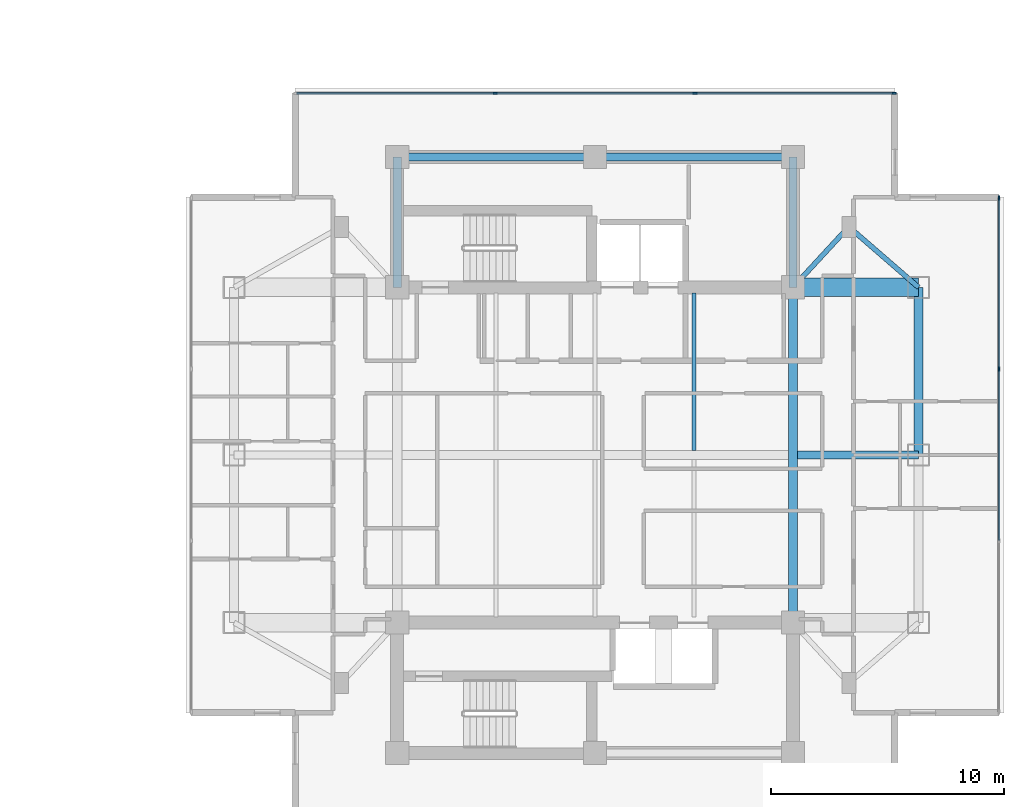
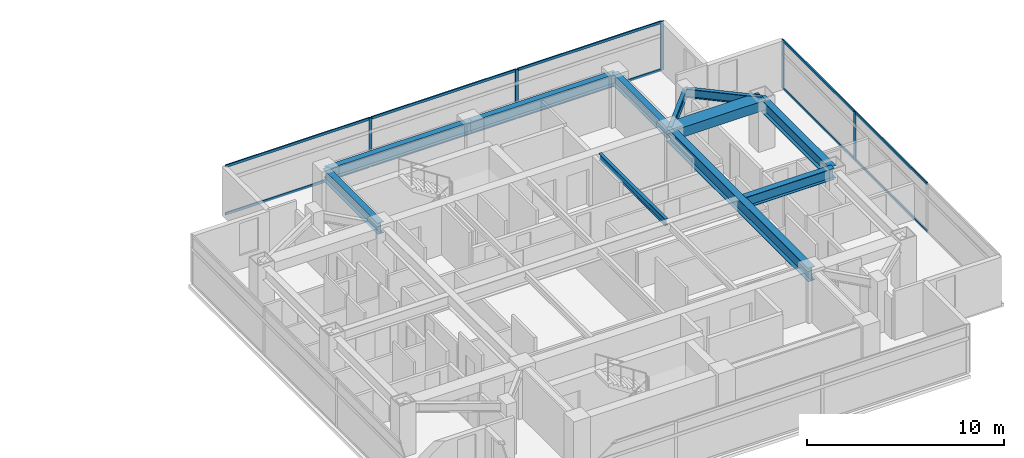
# One storey, part 10 of 24: 15 members, 11 beams, 2 elements without a shape of their own.
"""IFC4 building model written with IfcOpenShell, lengths in metres."""

from ifc_helpers import new_model, si_unit, direction, frame, origin, origin_2d, place, context, subcontext, project, spatial, rectangle, i_section, extrude, material, material_profile, profile_set, type_object, element, aggregate, save


model = new_model("IFC4")

# Units and contexts
model_context = context("Model", 3, precision=1e-05, world=origin(), true_north=direction((0.0, 1.0)))
body_context = subcontext(model_context, "Body", "Model", "MODEL_VIEW")
ifc_project = project(units=[si_unit("LENGTHUNIT", "METRE"), si_unit("AREAUNIT", "SQUARE_METRE"), si_unit("VOLUMEUNIT", "CUBIC_METRE"), si_unit("PLANEANGLEUNIT", "RADIAN"), si_unit("MASSUNIT", "GRAM", prefix="KILO")], contexts=[model_context])

# Site, building, storey
site_placement = place(None, origin())
site = spatial("IfcSite", under=ifc_project, at=site_placement, CompositionType="ELEMENT")
building_placement = place(site_placement, origin())
building = spatial("IfcBuilding", under=site, at=building_placement, Name="Mirazonda Arch Towers", CompositionType="ELEMENT")
storey_placement = place(building_placement, frame((0.0, 0.0, 164.14990234375)))
storey = spatial("IfcBuildingStorey", under=building, at=storey_placement, Name="L46", CompositionType="ELEMENT", Elevation=164.14990234375)

# Beams
ifc_material_1 = material(Name="Steel ASTM A992 Grade 50", Category="steel")
ifc_material_profile_1 = material_profile(ifc_material_1, i_section(OverallWidth=0.381103515625, OverallDepth=0.77294921875, WebThickness=0.0166015625, FlangeThickness=0.027099609375, at=origin_2d()), Name="W30X173")
ifc_profile_set_1 = profile_set([ifc_material_profile_1], Name="Steel ASTM A992 Grade 50")
beam_type_1 = type_object("IfcBeamType", Name="BM-EXT-W30X173", PredefinedType="USERDEFINED", material=ifc_profile_set_1)
beam_1_placement = place(storey_placement, frame((90.39990234375, 28.0, 2.66357421875), z_axis=(0.0, 1.0, 0.0), x_axis=(-1.0, 0.0, 0.0)))
element("IfcBeam", 1, at=beam_1_placement, inside=storey, type_object=beam_type_1, Name="L46 Floor Beam BM-T2-L46-NS-E-28", ObjectType="GIRDER", PredefinedType="USERDEFINED", context=body_context, shape_type="SweptSolid", body=[
    extrude(i_section(OverallWidth=0.381103515625, OverallDepth=0.77294921875, WebThickness=0.0166015625, FlangeThickness=0.027099609375, at=origin_2d()), origin(), (0.0, 0.0, 1.0), 7.199951171875),
])
ifc_material_profile_2 = material_profile(ifc_material_1, i_section(OverallWidth=0.180908203125, OverallDepth=0.4169921875, WebThickness=0.010986328125, FlangeThickness=0.018310546875, at=origin_2d()), Name="W16X57")
ifc_profile_set_2 = profile_set([ifc_material_profile_2], Name="Steel ASTM A992 Grade 50")
beam_type_2 = type_object("IfcBeamType", Name="BM-INT-W16X57", PredefinedType="JOIST", material=ifc_profile_set_2)
beam_2_placement = place(storey_placement, frame((80.75, 28.196044921875, 2.841552734375), z_axis=(0.0, 1.0, 0.0), x_axis=(-1.0, 0.0, 0.0)))
element("IfcBeam", 2, at=beam_2_placement, inside=storey, type_object=beam_type_2, Name="L46 Floor Beam BM-T2-L46-J-807-28", PredefinedType="JOIST", context=body_context, shape_type="SweptSolid", body=[
    extrude(i_section(OverallWidth=0.180908203125, OverallDepth=0.4169921875, WebThickness=0.010986328125, FlangeThickness=0.018310546875, at=origin_2d()), origin(), (0.0, 0.0, 1.0), 6.763916015625),
])
ifc_material_profile_3 = material_profile(ifc_material_1, i_section(OverallWidth=0.214111328125, OverallDepth=0.549072265625, WebThickness=0.0146484375, FlangeThickness=0.023681640625, at=origin_2d()), Name="W21X93")
ifc_profile_set_3 = profile_set([ifc_material_profile_3], Name="Steel ASTM A992 Grade 50")
beam_type_3 = type_object("IfcBeamType", Name="BM-INT-W21X93", PredefinedType="BEAM", material=ifc_profile_set_3)
beam_3_placement = place(storey_placement, frame((87.39990234375, 37.800048828125, 2.775634765625), z_axis=(-0.678251444854, -0.734829897019, 0.0), x_axis=(0.734829897019, -0.678251444854, 0.0)))
element("IfcBeam", 3, at=beam_3_placement, inside=storey, type_object=beam_type_3, Name="L46 Floor Beam BM-T2-L46-PL-NE1", PredefinedType="BEAM", context=body_context, shape_type="SweptSolid", body=[
    extrude(i_section(OverallWidth=0.214111328125, OverallDepth=0.549072265625, WebThickness=0.0146484375, FlangeThickness=0.023681640625, at=origin_2d()), origin(), (0.0, 0.0, 1.0), 3.538330078125),
])
beam_4_placement = place(storey_placement, frame((87.39990234375, 37.800048828125, 2.775634765625), z_axis=(0.755676908098, -0.654944585876, 0.0), x_axis=(0.654944585876, 0.755676908098, 0.0)))
element("IfcBeam", 4, at=beam_4_placement, inside=storey, type_object=beam_type_3, Name="L46 Floor Beam BM-T2-L46-PL-NE2", PredefinedType="BEAM", context=body_context, shape_type="SweptSolid", body=[
    extrude(i_section(OverallWidth=0.214111328125, OverallDepth=0.549072265625, WebThickness=0.0146484375, FlangeThickness=0.023681640625, at=origin_2d()), origin(), (0.0, 0.0, 1.0), 3.969970703125),
])
ifc_material_profile_4 = material_profile(ifc_material_1, i_section(OverallWidth=0.35498046875, OverallDepth=0.696044921875, WebThickness=0.015380859375, FlangeThickness=0.02490234375, at=origin_2d()), Name="W27X146")
ifc_profile_set_4 = profile_set([ifc_material_profile_4], Name="Steel ASTM A992 Grade 50")
beam_type_4 = type_object("IfcBeamType", Name="BM-INT-W27X146", PredefinedType="BEAM", material=ifc_profile_set_4)
for number, where, z_axis, x_axis, name in (
    (5, (68.0, 40.800048828125, 2.7021484375), (1.0, 0.0, 0.0), (0.0, 1.0, 0.0), "L46 Floor Beam BM-T2-L46-CN1"),
    (6, (76.5, 40.800048828125, 2.7021484375), (1.0, 0.0, 0.0), (0.0, 1.0, 0.0), "L46 Floor Beam BM-T2-L46-CN2"),
):
    element("IfcBeam", number, at=place(storey_placement, frame(where, z_axis=z_axis, x_axis=x_axis)), inside=storey, type_object=beam_type_4, Name=name, PredefinedType="BEAM", context=body_context, shape_type="SweptSolid", body=[
        extrude(i_section(OverallWidth=0.35498046875, OverallDepth=0.696044921875, WebThickness=0.015380859375, FlangeThickness=0.02490234375, at=origin_2d()), origin(), (0.0, 0.0, 1.0), 8.5),
    ])
for number, where, z_axis, x_axis, name in (
    (7, (68.0, 35.199951171875, 2.7021484375), (0.0, 1.0, 0.0), (-1.0, 0.0, 0.0), "L46 Floor Beam BM-T2-L46-CNW"),
    (8, (85.0, 35.199951171875, 2.7021484375), (0.0, 1.0, 0.0), (-1.0, 0.0, 0.0), "L46 Floor Beam BM-T2-L46-CNE"),
):
    element("IfcBeam", number, at=place(storey_placement, frame(where, z_axis=z_axis, x_axis=x_axis)), inside=storey, type_object=beam_type_4, Name=name, PredefinedType="BEAM", context=body_context, shape_type="SweptSolid", body=[
        extrude(i_section(OverallWidth=0.35498046875, OverallDepth=0.696044921875, WebThickness=0.015380859375, FlangeThickness=0.02490234375, at=origin_2d()), origin(), (0.0, 0.0, 1.0), 5.60009765625),
    ])
beam_5_placement = place(storey_placement, frame((85.199951171875, 28.0, 2.7021484375), z_axis=(1.0, 0.0, 0.0), x_axis=(0.0, 1.0, 0.0)))
element("IfcBeam", 9, at=beam_5_placement, inside=storey, type_object=beam_type_4, Name="L46 Floor Beam BM-T2-L46-GE2", PredefinedType="BEAM", context=body_context, shape_type="SweptSolid", body=[
    extrude(i_section(OverallWidth=0.35498046875, OverallDepth=0.696044921875, WebThickness=0.015380859375, FlangeThickness=0.02490234375, at=origin_2d()), origin(), (0.0, 0.0, 1.0), 5.199951171875),
])
ifc_material_profile_5 = material_profile(ifc_material_1, i_section(OverallWidth=0.39990234375, OverallDepth=0.85595703125, WebThickness=0.018310546875, FlangeThickness=0.029296875, at=origin_2d()), Name="W33X201")
ifc_profile_set_5 = profile_set([ifc_material_profile_5], Name="Steel ASTM A992 Grade 50")
beam_type_5 = type_object("IfcBeamType", Name="BM-INT-W33X201", PredefinedType="USERDEFINED", material=ifc_profile_set_5)
beam_6_placement = place(storey_placement, frame((85.0, 20.800048828125, 2.6220703125), z_axis=(0.0, 1.0, 0.0), x_axis=(-1.0, 0.0, 0.0)))
element("IfcBeam", 10, at=beam_6_placement, inside=storey, type_object=beam_type_5, Name="L46 Floor Beam BM-T2-L46-NS-CE-FULL", ObjectType="GIRDER", PredefinedType="USERDEFINED", context=body_context, shape_type="SweptSolid", body=[
    extrude(i_section(OverallWidth=0.39990234375, OverallDepth=0.85595703125, WebThickness=0.018310546875, FlangeThickness=0.029296875, at=origin_2d()), origin(), (0.0, 0.0, 1.0), 14.39990234375),
])
ifc_material_2 = material(Name="Concrete C60/75", Category="concrete")
ifc_material_profile_6 = material_profile(ifc_material_2, rectangle(XDim=0.800048828125, YDim=0.60009765625, at=origin_2d()), Name="RCCB800x600")
ifc_profile_set_6 = profile_set([ifc_material_profile_6], Name="Concrete C60/75")
beam_type_6 = type_object("IfcBeamType", Name="CB-INT-RCCB800x600", PredefinedType="SPANDREL", material=ifc_profile_set_6)
beam_7_placement = place(storey_placement, frame((85.0, 35.199951171875, 2.75), z_axis=(1.0, 0.0, 0.0), x_axis=(0.0, 1.0, 0.0)))
element("IfcBeam", 11, at=beam_7_placement, inside=storey, type_object=beam_type_6, Name="L46 Floor Beam CBC-T2-L46-NE", PredefinedType="SPANDREL", context=body_context, shape_type="SweptSolid", body=[
    extrude(rectangle(XDim=0.800048828125, YDim=0.60009765625, at=origin_2d()), origin(), (0.0, 0.0, 1.0), 5.39990234375),
])

# Curtain wall, members
ifc_material_3 = material(Name="Anodised Aluminium and Low-E Glass", Category="aluminium")
curtain_wall_type = type_object("IfcCurtainWallType", Name="CW-RES-UNIT", PredefinedType="NOTDEFINED", material=ifc_material_3)
curtain_wall_1_placement = place(storey_placement, origin())
curtain_wall_1 = element("IfcCurtainWall", 12, at=curtain_wall_1_placement, inside=storey, type_object=curtain_wall_type, Name="L46 T2 E Facade CW-L46-T2-E", PredefinedType="NOTDEFINED")
ifc_material_4 = material(Name="Anodised Aluminium Alloy", Category="aluminium")
ifc_material_profile_7 = material_profile(ifc_material_4, rectangle(XDim=0.074951171875, YDim=0.175048828125, at=origin_2d()), Name="ALU-MULL-75x175")
ifc_profile_set_7 = profile_set([ifc_material_profile_7], Name="Anodised Aluminium Alloy")
member_type_1 = type_object("IfcMemberType", Name="MULL-CW-RES-UNIT", PredefinedType="MULLION", material=ifc_profile_set_7)
member_1_placement = place(storey_placement, frame((93.846435546875, 31.692138671875, 0.0), z_axis=(0.0, 0.0, 1.0), x_axis=(-1.0, 0.0, 0.0)))
member_1 = element("IfcMember", 13, at=member_1_placement, type_object=member_type_1, Name="CW-104 mullion 3", PredefinedType="MULLION", context=body_context, shape_type="SweptSolid", body=[
    extrude(rectangle(XDim=0.074951171875, YDim=0.175048828125, at=origin_2d()), origin(), (0.0, 0.0, 1.0), 3.030029296875),
])
member_2_placement = place(storey_placement, frame((93.846435546875, 39.038818359375, 0.0), z_axis=(0.0, 0.0, 1.0), x_axis=(-1.0, 0.0, 0.0)))
member_2 = element("IfcMember", 14, at=member_2_placement, type_object=member_type_1, Name="CW-104 mullion 4", PredefinedType="MULLION", context=body_context, shape_type="SweptSolid", body=[
    extrude(rectangle(XDim=0.074951171875, YDim=0.175048828125, at=origin_2d()), origin(), (0.0, 0.0, 1.0), 3.030029296875),
])

curtain_wall_2_placement = place(storey_placement, origin())
curtain_wall_2 = element("IfcCurtainWall", 15, at=curtain_wall_2_placement, inside=storey, type_object=curtain_wall_type, Name="L46 T2 N Facade CW-L46-T2-N", PredefinedType="NOTDEFINED")
member_3_placement = place(storey_placement, frame((72.206298828125, 43.54150390625, 0.0), z_axis=(0.0, 0.0, 1.0), x_axis=(0.0, 1.0, 0.0)))
member_3 = element("IfcMember", 16, at=member_3_placement, type_object=member_type_1, Name="CW-104 mullion 2", PredefinedType="MULLION", context=body_context, shape_type="SweptSolid", body=[
    extrude(rectangle(XDim=0.074951171875, YDim=0.175048828125, at=origin_2d()), origin(), (0.0, 0.0, 1.0), 3.030029296875),
])
member_4_placement = place(storey_placement, frame((80.793701171875, 43.54150390625, 0.0), z_axis=(0.0, 0.0, 1.0), x_axis=(0.0, 1.0, 0.0)))
member_4 = element("IfcMember", 17, at=member_4_placement, type_object=member_type_1, Name="CW-104 mullion 3", PredefinedType="MULLION", context=body_context, shape_type="SweptSolid", body=[
    extrude(rectangle(XDim=0.074951171875, YDim=0.175048828125, at=origin_2d()), origin(), (0.0, 0.0, 1.0), 3.030029296875),
])
member_5_placement = place(storey_placement, frame((89.34375, 43.54150390625, 0.0), z_axis=(0.0, 0.0, 1.0), x_axis=(0.0, 1.0, 0.0)))
member_5 = element("IfcMember", 18, at=member_5_placement, type_object=member_type_1, Name="CW-104 mullion 4", PredefinedType="MULLION", context=body_context, shape_type="SweptSolid", body=[
    extrude(rectangle(XDim=0.074951171875, YDim=0.175048828125, at=origin_2d()), origin(), (0.0, 0.0, 1.0), 3.030029296875),
])

# Member
ifc_material_profile_8 = material_profile(ifc_material_4, rectangle(XDim=0.074951171875, YDim=0.155029296875, at=origin_2d()), Name="ALU-TRAN-75x155")
ifc_profile_set_8 = profile_set([ifc_material_profile_8], Name="Anodised Aluminium Alloy")
member_type_2 = type_object("IfcMemberType", Name="TRAN-CW-RES-UNIT", PredefinedType="USERDEFINED", material=ifc_profile_set_8)
member_6_placement = place(storey_placement, frame((93.846435546875, 24.345458984375, 0.03759765625), z_axis=(0.0, 1.0, 0.0), x_axis=(-1.0, 0.0, 0.0)))
member_6 = element("IfcMember", 19, at=member_6_placement, type_object=member_type_2, Name="CW-104 transom 2.1", ObjectType="TRANSOM", PredefinedType="USERDEFINED", context=body_context, shape_type="SweptSolid", body=[
    extrude(rectangle(XDim=0.074951171875, YDim=0.155029296875, at=origin_2d()), origin(), (0.0, 0.0, 1.0), 7.30908203125),
])

member_7_placement = place(storey_placement, frame((93.846435546875, 24.345458984375, 2.99267578125), z_axis=(0.0, 1.0, 0.0), x_axis=(-1.0, 0.0, 0.0)))
member_7 = element("IfcMember", 20, at=member_7_placement, type_object=member_type_2, Name="CW-104 transom 2.2", ObjectType="TRANSOM", PredefinedType="USERDEFINED", context=body_context, shape_type="SweptSolid", body=[
    extrude(rectangle(XDim=0.074951171875, YDim=0.155029296875, at=origin_2d()), origin(), (0.0, 0.0, 1.0), 7.30908203125),
])

member_8_placement = place(storey_placement, frame((93.846435546875, 31.7294921875, 0.03759765625), z_axis=(0.0, 1.0, 0.0), x_axis=(-1.0, 0.0, 0.0)))
member_8 = element("IfcMember", 21, at=member_8_placement, type_object=member_type_2, Name="CW-104 transom 3.1", ObjectType="TRANSOM", PredefinedType="USERDEFINED", context=body_context, shape_type="SweptSolid", body=[
    extrude(rectangle(XDim=0.074951171875, YDim=0.155029296875, at=origin_2d()), origin(), (0.0, 0.0, 1.0), 7.271728515625),
])

member_9_placement = place(storey_placement, frame((93.846435546875, 31.7294921875, 2.99267578125), z_axis=(0.0, 1.0, 0.0), x_axis=(-1.0, 0.0, 0.0)))
member_9 = element("IfcMember", 22, at=member_9_placement, type_object=member_type_2, Name="CW-104 transom 3.2", ObjectType="TRANSOM", PredefinedType="USERDEFINED", context=body_context, shape_type="SweptSolid", body=[
    extrude(rectangle(XDim=0.074951171875, YDim=0.155029296875, at=origin_2d()), origin(), (0.0, 0.0, 1.0), 7.271728515625),
])

aggregate(curtain_wall_1, [member_1, member_2, member_6, member_7, member_8, member_9])

member_10_placement = place(storey_placement, frame((63.693603515625, 43.54150390625, 0.03759765625), z_axis=(1.0, 0.0, 0.0), x_axis=(0.0, 1.0, 0.0)))
member_10 = element("IfcMember", 23, at=member_10_placement, type_object=member_type_2, Name="CW-104 transom 1.1", ObjectType="TRANSOM", PredefinedType="USERDEFINED", context=body_context, shape_type="SweptSolid", body=[
    extrude(rectangle(XDim=0.074951171875, YDim=0.155029296875, at=origin_2d()), origin(), (0.0, 0.0, 1.0), 8.47509765625),
])

member_11_placement = place(storey_placement, frame((63.693603515625, 43.54150390625, 2.99267578125), z_axis=(1.0, 0.0, 0.0), x_axis=(0.0, 1.0, 0.0)))
member_11 = element("IfcMember", 24, at=member_11_placement, type_object=member_type_2, Name="CW-104 transom 1.2", ObjectType="TRANSOM", PredefinedType="USERDEFINED", context=body_context, shape_type="SweptSolid", body=[
    extrude(rectangle(XDim=0.074951171875, YDim=0.155029296875, at=origin_2d()), origin(), (0.0, 0.0, 1.0), 8.47509765625),
])

member_12_placement = place(storey_placement, frame((72.24365234375, 43.54150390625, 0.03759765625), z_axis=(1.0, 0.0, 0.0), x_axis=(0.0, 1.0, 0.0)))
member_12 = element("IfcMember", 25, at=member_12_placement, type_object=member_type_2, Name="CW-104 transom 2.1", ObjectType="TRANSOM", PredefinedType="USERDEFINED", context=body_context, shape_type="SweptSolid", body=[
    extrude(rectangle(XDim=0.074951171875, YDim=0.155029296875, at=origin_2d()), origin(), (0.0, 0.0, 1.0), 8.5126953125),
])

member_13_placement = place(storey_placement, frame((72.24365234375, 43.54150390625, 2.99267578125), z_axis=(1.0, 0.0, 0.0), x_axis=(0.0, 1.0, 0.0)))
member_13 = element("IfcMember", 26, at=member_13_placement, type_object=member_type_2, Name="CW-104 transom 2.2", ObjectType="TRANSOM", PredefinedType="USERDEFINED", context=body_context, shape_type="SweptSolid", body=[
    extrude(rectangle(XDim=0.074951171875, YDim=0.155029296875, at=origin_2d()), origin(), (0.0, 0.0, 1.0), 8.5126953125),
])

member_14_placement = place(storey_placement, frame((80.831298828125, 43.54150390625, 0.03759765625), z_axis=(1.0, 0.0, 0.0), x_axis=(0.0, 1.0, 0.0)))
member_14 = element("IfcMember", 27, at=member_14_placement, type_object=member_type_2, Name="CW-104 transom 3.1", ObjectType="TRANSOM", PredefinedType="USERDEFINED", context=body_context, shape_type="SweptSolid", body=[
    extrude(rectangle(XDim=0.074951171875, YDim=0.155029296875, at=origin_2d()), origin(), (0.0, 0.0, 1.0), 8.47509765625),
])

member_15_placement = place(storey_placement, frame((80.831298828125, 43.54150390625, 2.99267578125), z_axis=(1.0, 0.0, 0.0), x_axis=(0.0, 1.0, 0.0)))
member_15 = element("IfcMember", 28, at=member_15_placement, type_object=member_type_2, Name="CW-104 transom 3.2", ObjectType="TRANSOM", PredefinedType="USERDEFINED", context=body_context, shape_type="SweptSolid", body=[
    extrude(rectangle(XDim=0.074951171875, YDim=0.155029296875, at=origin_2d()), origin(), (0.0, 0.0, 1.0), 8.47509765625),
])

aggregate(curtain_wall_2, [member_3, member_4, member_5, member_10, member_11, member_12, member_13, member_14, member_15])

save(model, "model.ifc")
